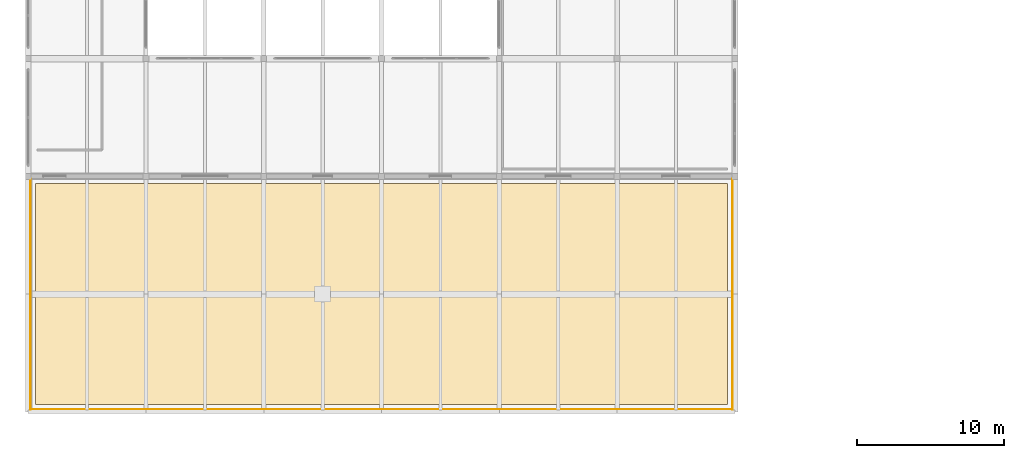
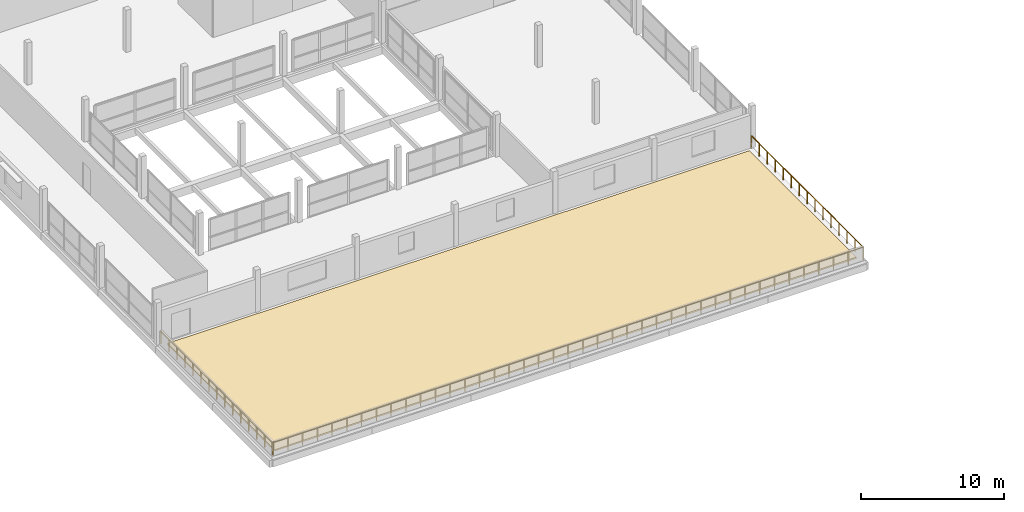
# One storey, part 45 of 51: 3 railings, 1 covering.
"""IFC4 building model written with IfcOpenShell, lengths in metres."""

from ifc_helpers import new_model, si_unit, direction, frame, origin, origin_2d, place, context, subcontext, project, spatial, polyline, circle, outline, extrude, material, layer, layer_set, type_object, element, save


model = new_model("IFC4")

# Units and contexts
model_context = context("Model", 3, precision=1e-05, world=origin(), true_north=direction((0.0, 1.0)))
body_context = subcontext(model_context, "Body", "Model", "MODEL_VIEW")
ifc_project = project(units=[si_unit("LENGTHUNIT", "METRE"), si_unit("AREAUNIT", "SQUARE_METRE"), si_unit("VOLUMEUNIT", "CUBIC_METRE"), si_unit("PLANEANGLEUNIT", "RADIAN"), si_unit("MASSUNIT", "GRAM", prefix="KILO")], contexts=[model_context])

# Site, building, storey
site_placement = place(None, origin())
site = spatial("IfcSite", under=ifc_project, at=site_placement, CompositionType="ELEMENT")
building_placement = place(site_placement, origin())
building = spatial("IfcBuilding", under=site, at=building_placement, Name="Vharandega Faculty of Natural Sciences", CompositionType="ELEMENT")
storey_placement = place(building_placement, frame((0.0, 0.0, 18.0)))
storey = spatial("IfcBuildingStorey", under=building, at=storey_placement, Name="L04", CompositionType="ELEMENT", Elevation=18.0)

# Covering
ifc_material_1 = material(Name="Planted green roof substrate and membrane", Category="concrete")
ifc_layer = layer(ifc_material_1, 0.1201171875, Name="Planted green roof substrate and membrane")
ifc_layer_set = layer_set([ifc_layer], Name="Planted green roof substrate and membrane")
covering_type = type_object("IfcCoveringType", Name="Planted Intensive Green Roof Build-Up", PredefinedType="ROOFING", material=ifc_layer_set)
covering_placement = place(storey_placement, origin())
element("IfcCovering", 1, at=covering_placement, inside=storey, type_object=covering_type, Name="Roof Covering L04-02", PredefinedType="ROOFING", context=body_context, shape_type="SweptSolid", body=[
    extrude(outline(polyline([(0.5, 0.5), (47.5, 0.5), (47.5, 15.5), (0.5, 15.5), (0.5, 0.5)])), origin(), (0.0, 0.0, 1.0), 0.1201171875),
])

# Railings
ifc_material_2 = material(Name="Galvanised painted steel balustrade", Category="steel")
railing_type = type_object("IfcRailingType", Name="Terrace Steel Guardrail 1100", PredefinedType="GUARDRAIL", material=ifc_material_2)
railing_1_placement = place(storey_placement, frame((0.14990234375, 15.824951171875, 0.0)))
element("IfcRailing", 2, at=railing_1_placement, inside=storey, type_object=railing_type, Name="Guardrail L04 #1", PredefinedType="GUARDRAIL", context=body_context, shape_type="SweptSolid", body=[
    extrude(circle(Radius=0.02392578125, at=origin_2d()), frame((0.0, 0.0, 1.076171875), z_axis=(0.0, -1.0, 0.0), x_axis=(1.0, 0.0, 0.0)), (0.0, 0.0, 1.0), 15.64990234375),
    extrude(circle(Radius=0.02099609375, at=origin_2d()), origin(), (0.0, 0.0, 1.0), 1.052001953125),
    extrude(circle(Radius=0.02099609375, at=origin_2d()), frame((0.0, -1.117919921875, 0.0)), (0.0, 0.0, 1.0), 1.052001953125),
    extrude(circle(Radius=0.02099609375, at=origin_2d()), frame((0.0, -2.235595703125, 0.0)), (0.0, 0.0, 1.0), 1.052001953125),
    extrude(circle(Radius=0.02099609375, at=origin_2d()), frame((0.0, -3.353515625, 0.0)), (0.0, 0.0, 1.0), 1.052001953125),
    extrude(circle(Radius=0.02099609375, at=origin_2d()), frame((0.0, -4.471435546875, 0.0)), (0.0, 0.0, 1.0), 1.052001953125),
    extrude(circle(Radius=0.02099609375, at=origin_2d()), frame((0.0, -5.58935546875, 0.0)), (0.0, 0.0, 1.0), 1.052001953125),
    extrude(circle(Radius=0.02099609375, at=origin_2d()), frame((0.0, -6.70703125, 0.0)), (0.0, 0.0, 1.0), 1.052001953125),
    extrude(circle(Radius=0.02099609375, at=origin_2d()), frame((0.0, -7.824951171875, 0.0)), (0.0, 0.0, 1.0), 1.052001953125),
    extrude(circle(Radius=0.02099609375, at=origin_2d()), frame((0.0, -8.94287109375, 0.0)), (0.0, 0.0, 1.0), 1.052001953125),
    extrude(circle(Radius=0.02099609375, at=origin_2d()), frame((0.0, -10.060546875, 0.0)), (0.0, 0.0, 1.0), 1.052001953125),
    extrude(circle(Radius=0.02099609375, at=origin_2d()), frame((0.0, -11.178466796875, 0.0)), (0.0, 0.0, 1.0), 1.052001953125),
    extrude(circle(Radius=0.02099609375, at=origin_2d()), frame((0.0, -12.29638671875, 0.0)), (0.0, 0.0, 1.0), 1.052001953125),
    extrude(circle(Radius=0.02099609375, at=origin_2d()), frame((0.0, -13.414306640625, 0.0)), (0.0, 0.0, 1.0), 1.052001953125),
    extrude(circle(Radius=0.02099609375, at=origin_2d()), frame((0.0, -14.531982421875, 0.0)), (0.0, 0.0, 1.0), 1.052001953125),
    extrude(circle(Radius=0.02099609375, at=origin_2d()), frame((0.0, -15.64990234375, 0.0)), (0.0, 0.0, 1.0), 1.052001953125),
])
railing_2_placement = place(storey_placement, frame((0.175048828125, 0.14990234375, 0.0)))
element("IfcRailing", 3, at=railing_2_placement, inside=storey, type_object=railing_type, Name="Guardrail L04 #2", PredefinedType="GUARDRAIL", context=body_context, shape_type="SweptSolid", body=[
    extrude(circle(Radius=0.02392578125, at=origin_2d()), frame((0.0, 0.0, 1.076171875), z_axis=(1.0, 0.0, 0.0), x_axis=(0.0, 1.0, 0.0)), (0.0, 0.0, 1.0), 47.64990234375),
    extrude(circle(Radius=0.02099609375, at=origin_2d()), origin(), (0.0, 0.0, 1.0), 1.052001953125),
    extrude(circle(Radius=0.02099609375, at=origin_2d()), frame((1.191162109375, 0.0, 0.0)), (0.0, 0.0, 1.0), 1.052001953125),
    extrude(circle(Radius=0.02099609375, at=origin_2d()), frame((2.382568359375, 0.0, 0.0)), (0.0, 0.0, 1.0), 1.052001953125),
    extrude(circle(Radius=0.02099609375, at=origin_2d()), frame((3.57373046875, 0.0, 0.0)), (0.0, 0.0, 1.0), 1.052001953125),
    extrude(circle(Radius=0.02099609375, at=origin_2d()), frame((4.764892578125, 0.0, 0.0)), (0.0, 0.0, 1.0), 1.052001953125),
    extrude(circle(Radius=0.02099609375, at=origin_2d()), frame((5.956298828125, 0.0, 0.0)), (0.0, 0.0, 1.0), 1.052001953125),
    extrude(circle(Radius=0.02099609375, at=origin_2d()), frame((7.1474609375, 0.0, 0.0)), (0.0, 0.0, 1.0), 1.052001953125),
    extrude(circle(Radius=0.02099609375, at=origin_2d()), frame((8.338623046875, 0.0, 0.0)), (0.0, 0.0, 1.0), 1.052001953125),
    extrude(circle(Radius=0.02099609375, at=origin_2d()), frame((9.530029296875, 0.0, 0.0)), (0.0, 0.0, 1.0), 1.052001953125),
    extrude(circle(Radius=0.02099609375, at=origin_2d()), frame((10.72119140625, 0.0, 0.0)), (0.0, 0.0, 1.0), 1.052001953125),
    extrude(circle(Radius=0.02099609375, at=origin_2d()), frame((11.91259765625, 0.0, 0.0)), (0.0, 0.0, 1.0), 1.052001953125),
    extrude(circle(Radius=0.02099609375, at=origin_2d()), frame((13.103759765625, 0.0, 0.0)), (0.0, 0.0, 1.0), 1.052001953125),
    extrude(circle(Radius=0.02099609375, at=origin_2d()), frame((14.294921875, 0.0, 0.0)), (0.0, 0.0, 1.0), 1.052001953125),
    extrude(circle(Radius=0.02099609375, at=origin_2d()), frame((15.486328125, 0.0, 0.0)), (0.0, 0.0, 1.0), 1.052001953125),
    extrude(circle(Radius=0.02099609375, at=origin_2d()), frame((16.677490234375, 0.0, 0.0)), (0.0, 0.0, 1.0), 1.052001953125),
    extrude(circle(Radius=0.02099609375, at=origin_2d()), frame((17.86865234375, 0.0, 0.0)), (0.0, 0.0, 1.0), 1.052001953125),
    extrude(circle(Radius=0.02099609375, at=origin_2d()), frame((19.06005859375, 0.0, 0.0)), (0.0, 0.0, 1.0), 1.052001953125),
    extrude(circle(Radius=0.02099609375, at=origin_2d()), frame((20.251220703125, 0.0, 0.0)), (0.0, 0.0, 1.0), 1.052001953125),
    extrude(circle(Radius=0.02099609375, at=origin_2d()), frame((21.4423828125, 0.0, 0.0)), (0.0, 0.0, 1.0), 1.052001953125),
    extrude(circle(Radius=0.02099609375, at=origin_2d()), frame((22.6337890625, 0.0, 0.0)), (0.0, 0.0, 1.0), 1.052001953125),
    extrude(circle(Radius=0.02099609375, at=origin_2d()), frame((23.824951171875, 0.0, 0.0)), (0.0, 0.0, 1.0), 1.052001953125),
    extrude(circle(Radius=0.02099609375, at=origin_2d()), frame((25.01611328125, 0.0, 0.0)), (0.0, 0.0, 1.0), 1.052001953125),
    extrude(circle(Radius=0.02099609375, at=origin_2d()), frame((26.20751953125, 0.0, 0.0)), (0.0, 0.0, 1.0), 1.052001953125),
    extrude(circle(Radius=0.02099609375, at=origin_2d()), frame((27.398681640625, 0.0, 0.0)), (0.0, 0.0, 1.0), 1.052001953125),
    extrude(circle(Radius=0.02099609375, at=origin_2d()), frame((28.58984375, 0.0, 0.0)), (0.0, 0.0, 1.0), 1.052001953125),
    extrude(circle(Radius=0.02099609375, at=origin_2d()), frame((29.78125, 0.0, 0.0)), (0.0, 0.0, 1.0), 1.052001953125),
    extrude(circle(Radius=0.02099609375, at=origin_2d()), frame((30.972412109375, 0.0, 0.0)), (0.0, 0.0, 1.0), 1.052001953125),
    extrude(circle(Radius=0.02099609375, at=origin_2d()), frame((32.16357421875, 0.0, 0.0)), (0.0, 0.0, 1.0), 1.052001953125),
    extrude(circle(Radius=0.02099609375, at=origin_2d()), frame((33.35498046875, 0.0, 0.0)), (0.0, 0.0, 1.0), 1.052001953125),
    extrude(circle(Radius=0.02099609375, at=origin_2d()), frame((34.546142578125, 0.0, 0.0)), (0.0, 0.0, 1.0), 1.052001953125),
    extrude(circle(Radius=0.02099609375, at=origin_2d()), frame((35.7373046875, 0.0, 0.0)), (0.0, 0.0, 1.0), 1.052001953125),
    extrude(circle(Radius=0.02099609375, at=origin_2d()), frame((36.9287109375, 0.0, 0.0)), (0.0, 0.0, 1.0), 1.052001953125),
    extrude(circle(Radius=0.02099609375, at=origin_2d()), frame((38.119873046875, 0.0, 0.0)), (0.0, 0.0, 1.0), 1.052001953125),
    extrude(circle(Radius=0.02099609375, at=origin_2d()), frame((39.311279296875, 0.0, 0.0)), (0.0, 0.0, 1.0), 1.052001953125),
    extrude(circle(Radius=0.02099609375, at=origin_2d()), frame((40.50244140625, 0.0, 0.0)), (0.0, 0.0, 1.0), 1.052001953125),
    extrude(circle(Radius=0.02099609375, at=origin_2d()), frame((41.693603515625, 0.0, 0.0)), (0.0, 0.0, 1.0), 1.052001953125),
    extrude(circle(Radius=0.02099609375, at=origin_2d()), frame((42.885009765625, 0.0, 0.0)), (0.0, 0.0, 1.0), 1.052001953125),
    extrude(circle(Radius=0.02099609375, at=origin_2d()), frame((44.076171875, 0.0, 0.0)), (0.0, 0.0, 1.0), 1.052001953125),
    extrude(circle(Radius=0.02099609375, at=origin_2d()), frame((45.267333984375, 0.0, 0.0)), (0.0, 0.0, 1.0), 1.052001953125),
    extrude(circle(Radius=0.02099609375, at=origin_2d()), frame((46.458740234375, 0.0, 0.0)), (0.0, 0.0, 1.0), 1.052001953125),
    extrude(circle(Radius=0.02099609375, at=origin_2d()), frame((47.64990234375, 0.0, 0.0)), (0.0, 0.0, 1.0), 1.052001953125),
])
railing_3_placement = place(storey_placement, frame((47.85009765625, 0.175048828125, 0.0)))
element("IfcRailing", 4, at=railing_3_placement, inside=storey, type_object=railing_type, Name="Guardrail L04 #3", PredefinedType="GUARDRAIL", context=body_context, shape_type="SweptSolid", body=[
    extrude(circle(Radius=0.02392578125, at=origin_2d()), frame((0.0, 0.0, 1.076171875), z_axis=(0.0, 1.0, 0.0), x_axis=(-1.0, 0.0, 0.0)), (0.0, 0.0, 1.0), 15.64990234375),
    extrude(circle(Radius=0.02099609375, at=origin_2d()), origin(), (0.0, 0.0, 1.0), 1.052001953125),
    extrude(circle(Radius=0.02099609375, at=origin_2d()), frame((0.0, 1.117919921875, 0.0)), (0.0, 0.0, 1.0), 1.052001953125),
    extrude(circle(Radius=0.02099609375, at=origin_2d()), frame((0.0, 2.235595703125, 0.0)), (0.0, 0.0, 1.0), 1.052001953125),
    extrude(circle(Radius=0.02099609375, at=origin_2d()), frame((0.0, 3.353515625, 0.0)), (0.0, 0.0, 1.0), 1.052001953125),
    extrude(circle(Radius=0.02099609375, at=origin_2d()), frame((0.0, 4.471435546875, 0.0)), (0.0, 0.0, 1.0), 1.052001953125),
    extrude(circle(Radius=0.02099609375, at=origin_2d()), frame((0.0, 5.58935546875, 0.0)), (0.0, 0.0, 1.0), 1.052001953125),
    extrude(circle(Radius=0.02099609375, at=origin_2d()), frame((0.0, 6.70703125, 0.0)), (0.0, 0.0, 1.0), 1.052001953125),
    extrude(circle(Radius=0.02099609375, at=origin_2d()), frame((0.0, 7.824951171875, 0.0)), (0.0, 0.0, 1.0), 1.052001953125),
    extrude(circle(Radius=0.02099609375, at=origin_2d()), frame((0.0, 8.94287109375, 0.0)), (0.0, 0.0, 1.0), 1.052001953125),
    extrude(circle(Radius=0.02099609375, at=origin_2d()), frame((0.0, 10.060546875, 0.0)), (0.0, 0.0, 1.0), 1.052001953125),
    extrude(circle(Radius=0.02099609375, at=origin_2d()), frame((0.0, 11.178466796875, 0.0)), (0.0, 0.0, 1.0), 1.052001953125),
    extrude(circle(Radius=0.02099609375, at=origin_2d()), frame((0.0, 12.29638671875, 0.0)), (0.0, 0.0, 1.0), 1.052001953125),
    extrude(circle(Radius=0.02099609375, at=origin_2d()), frame((0.0, 13.414306640625, 0.0)), (0.0, 0.0, 1.0), 1.052001953125),
    extrude(circle(Radius=0.02099609375, at=origin_2d()), frame((0.0, 14.531982421875, 0.0)), (0.0, 0.0, 1.0), 1.052001953125),
    extrude(circle(Radius=0.02099609375, at=origin_2d()), frame((0.0, 15.64990234375, 0.0)), (0.0, 0.0, 1.0), 1.052001953125),
])

save(model, "model.ifc")
